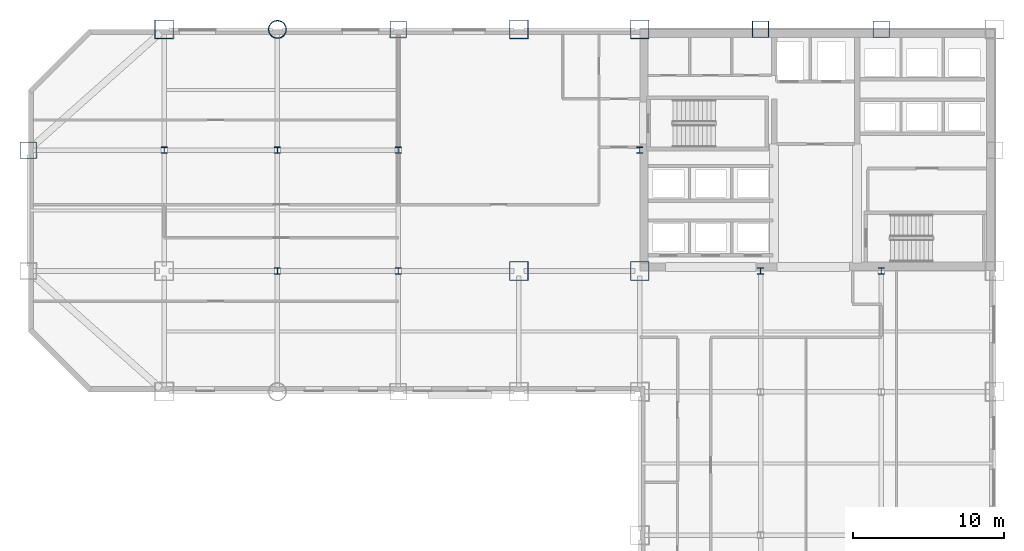
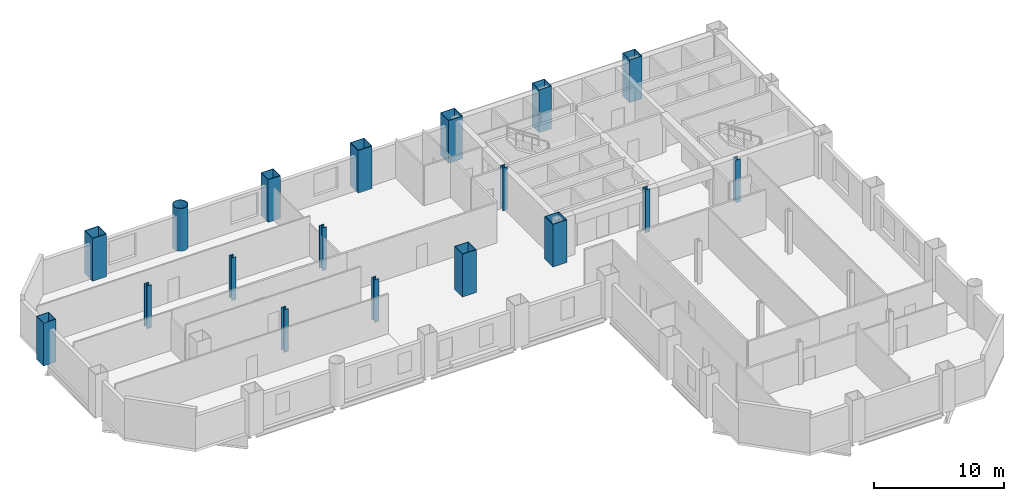
# One storey, part 2 of 9: 18 columns.
"""IFC4 building model written with IfcOpenShell, lengths in metres."""

from ifc_helpers import new_model, si_unit, direction, frame, origin, origin_2d, place, context, subcontext, project, spatial, hollow_rectangle, hollow_circle, i_section, extrude, material, material_profile, profile_set, type_object, element, save


model = new_model("IFC4")

# Units and contexts
model_context = context("Model", 3, precision=1e-05, world=origin(), true_north=direction((0.0, 1.0)))
body_context = subcontext(model_context, "Body", "Model", "MODEL_VIEW")
ifc_project = project(units=[si_unit("LENGTHUNIT", "METRE"), si_unit("AREAUNIT", "SQUARE_METRE"), si_unit("VOLUMEUNIT", "CUBIC_METRE"), si_unit("PLANEANGLEUNIT", "RADIAN"), si_unit("MASSUNIT", "GRAM", prefix="KILO")], contexts=[model_context])

# Site, building, storey
site_placement = place(None, origin())
site = spatial("IfcSite", under=ifc_project, at=site_placement, CompositionType="ELEMENT")
building_placement = place(site_placement, origin())
building = spatial("IfcBuilding", under=site, at=building_placement, Name="Qianrong Seaharbour Tower", CompositionType="ELEMENT")
storey_placement = place(building_placement, frame((0.0, 0.0, 72.199951171875)))
storey = spatial("IfcBuildingStorey", under=building, at=storey_placement, Name="L17", CompositionType="ELEMENT", Elevation=72.199951171875)

# Columns
ifc_material = material(Name="Structural steel SN490B", Category="steel")
ifc_material_profile_1 = material_profile(ifc_material, hollow_rectangle(XDim=1.25, YDim=1.25, WallThickness=0.044921875, at=origin_2d()), Name="BOX1250x1250x45")
ifc_profile_set_1 = profile_set([ifc_material_profile_1], Name="Structural steel SN490B")
column_type_1 = type_object("IfcColumnType", Name="COL-CFT-1250", PredefinedType="COLUMN", material=ifc_profile_set_1)
for number, where, z_axis, x_axis, name in (
    (1, (9.0, 52.0, 0.0), (0.0, 0.0, 1.0), (1.0, 0.0, 0.0), "L17 Column MC-2 at G2/GH"),
    (2, (32.5, 36.0, 0.0), (0.0, 0.0, 1.0), (1.0, 0.0, 0.0), "L17 Column MC-2 at G5/GF"),
    (3, (32.5, 52.0, 0.0), (0.0, 0.0, 1.0), (1.0, 0.0, 0.0), "L17 Column MC-2 at G5/GH"),
    (4, (40.5, 36.0, 0.0), (0.0, 0.0, 1.0), (1.0, 0.0, 0.0), "L17 Column MC-2 at G6/GF"),
    (5, (40.5, 52.0, 0.0), (0.0, 0.0, 1.0), (1.0, 0.0, 0.0), "L17 Column MC-2 at G6/GH"),
):
    element("IfcColumn", number, at=place(storey_placement, frame(where, z_axis=z_axis, x_axis=x_axis)), inside=storey, type_object=column_type_1, Name=name, PredefinedType="COLUMN", context=body_context, shape_type="SweptSolid", body=[
        extrude(hollow_rectangle(XDim=1.25, YDim=1.25, WallThickness=0.044921875, at=origin_2d()), origin(), (0.0, 0.0, 1.0), 4.0),
    ])
ifc_material_profile_2 = material_profile(ifc_material, hollow_circle(Radius=0.60009765625, WallThickness=0.0400390625, at=origin_2d()), Name="CHS1200x40")
ifc_profile_set_2 = profile_set([ifc_material_profile_2], Name="Structural steel SN490B")
column_type_2 = type_object("IfcColumnType", Name="COL-CHS-1200", PredefinedType="COLUMN", material=ifc_profile_set_2)
column_placement = place(storey_placement, frame((16.5, 52.0, 0.0), z_axis=(0.0, 0.0, 1.0), x_axis=(1.0, 0.0, 0.0)))
element("IfcColumn", 6, at=column_placement, inside=storey, type_object=column_type_2, Name="L17 Column CC-1 at G3/GH", PredefinedType="COLUMN", context=body_context, shape_type="SweptSolid", body=[
    extrude(hollow_circle(Radius=0.60009765625, WallThickness=0.0400390625, at=origin_2d()), origin(), (0.0, 0.0, 1.0), 4.0),
])
ifc_material_profile_3 = material_profile(ifc_material, i_section(OverallWidth=0.406982421875, OverallDepth=0.427978515625, WebThickness=0.02001953125, FlangeThickness=0.034912109375, FilletRadius=0.02197265625, at=origin_2d()), Name="H428x407x20x35")
ifc_profile_set_3 = profile_set([ifc_material_profile_3], Name="Structural steel SN490B")
column_type_3 = type_object("IfcColumnType", Name="COL-INT-H428", PredefinedType="COLUMN", material=ifc_profile_set_3)
for number, where, z_axis, x_axis, name in (
    (7, (9.0, 44.0, 0.0), (0.0, 0.0, 1.0), (1.0, 0.0, 0.0), "L17 Column IC-2 at G2/GG"),
    (8, (16.5, 36.0, 0.0), (0.0, 0.0, 1.0), (1.0, 0.0, 0.0), "L17 Column IC-2 at G3/GF"),
    (9, (16.5, 44.0, 0.0), (0.0, 0.0, 1.0), (1.0, 0.0, 0.0), "L17 Column IC-2 at G3/GG"),
    (10, (24.5, 36.0, 0.0), (0.0, 0.0, 1.0), (1.0, 0.0, 0.0), "L17 Column IC-2 at G4/GF"),
    (11, (24.5, 44.0, 0.0), (0.0, 0.0, 1.0), (1.0, 0.0, 0.0), "L17 Column IC-2 at G4/GG"),
    (12, (40.5, 44.0, 0.0), (0.0, 0.0, 1.0), (1.0, 0.0, 0.0), "L17 Column IC-2 at G6/GG"),
    (13, (48.5, 36.0, 0.0), (0.0, 0.0, 1.0), (1.0, 0.0, 0.0), "L17 Column IC-2 at G7/GF"),
    (14, (56.5, 36.0, 0.0), (0.0, 0.0, 1.0), (1.0, 0.0, 0.0), "L17 Column IC-2 at G8/GF"),
):
    element("IfcColumn", number, at=place(storey_placement, frame(where, z_axis=z_axis, x_axis=x_axis)), inside=storey, type_object=column_type_3, Name=name, PredefinedType="COLUMN", context=body_context, shape_type="SweptSolid", body=[
        extrude(i_section(OverallWidth=0.406982421875, OverallDepth=0.427978515625, WebThickness=0.02001953125, FlangeThickness=0.034912109375, FilletRadius=0.02197265625, at=origin_2d()), origin(), (0.0, 0.0, 1.0), 4.0),
    ])
ifc_material_profile_4 = material_profile(ifc_material, hollow_rectangle(XDim=1.10009765625, YDim=1.10009765625, WallThickness=0.0400390625, at=origin_2d()), Name="BOX1100x1100x40")
ifc_profile_set_4 = profile_set([ifc_material_profile_4], Name="Structural steel SN490B")
column_type_4 = type_object("IfcColumnType", Name="COL-PER-1100", PredefinedType="COLUMN", material=ifc_profile_set_4)
for number, where, z_axis, x_axis, name in (
    (15, (0.0, 44.0, 0.0), (0.0, 0.0, 1.0), (1.0, 0.0, 0.0), "L17 Column PC-1 at G1/GG"),
    (16, (24.5, 52.0, 0.0), (0.0, 0.0, 1.0), (1.0, 0.0, 0.0), "L17 Column PC-1 at G4/GH"),
    (17, (48.5, 52.0, 0.0), (0.0, 0.0, 1.0), (1.0, 0.0, 0.0), "L17 Column PC-1 at G7/GH"),
    (18, (56.5, 52.0, 0.0), (0.0, 0.0, 1.0), (1.0, 0.0, 0.0), "L17 Column PC-1 at G8/GH"),
):
    element("IfcColumn", number, at=place(storey_placement, frame(where, z_axis=z_axis, x_axis=x_axis)), inside=storey, type_object=column_type_4, Name=name, PredefinedType="COLUMN", context=body_context, shape_type="SweptSolid", body=[
        extrude(hollow_rectangle(XDim=1.10009765625, YDim=1.10009765625, WallThickness=0.0400390625, at=origin_2d()), origin(), (0.0, 0.0, 1.0), 4.0),
    ])

save(model, "model.ifc")
